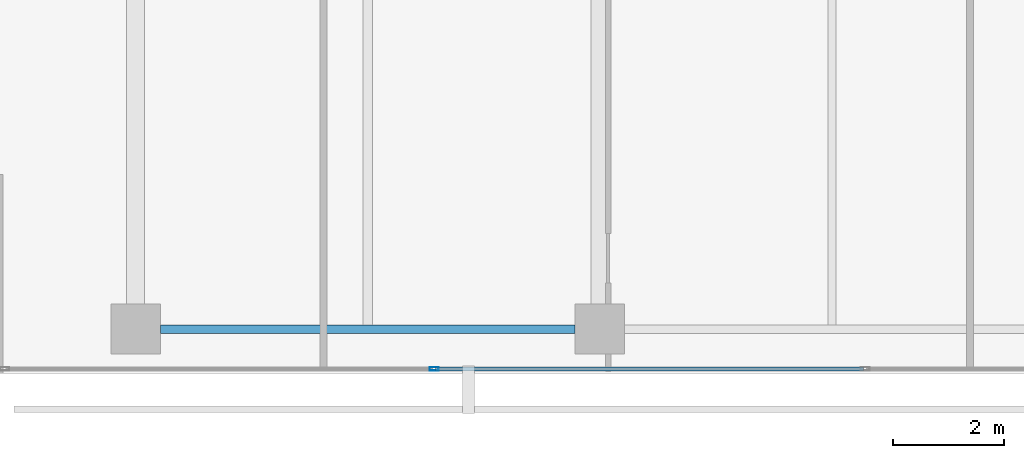
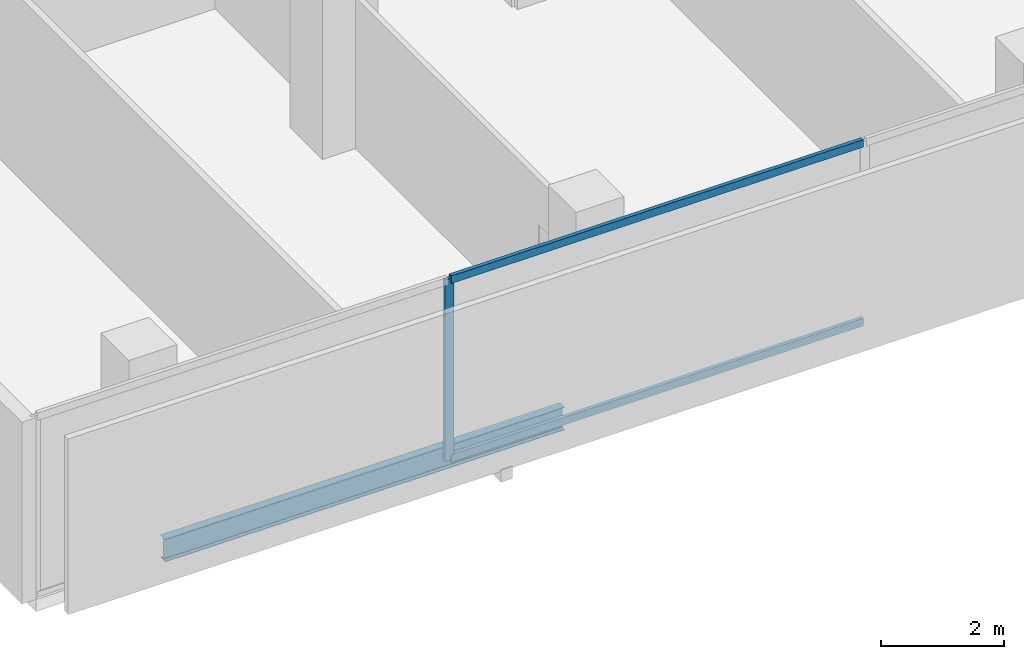
# One storey, part 3 of 40: 3 members, 1 beam, 1 element without a shape of its own.
"""IFC4 building model written with IfcOpenShell, lengths in metres."""

from ifc_helpers import new_model, si_unit, direction, frame, origin, origin_2d, place, context, subcontext, project, spatial, hollow_rectangle, i_section, extrude, material, layer, layer_set, material_profile, profile_set, type_object, element, aggregate, save


model = new_model("IFC4")

# Units and contexts
model_context = context("Model", 3, precision=1e-05, world=origin(), true_north=direction((0.0, 1.0)))
body_context = subcontext(model_context, "Body", "Model", "MODEL_VIEW")
ifc_project = project(units=[si_unit("LENGTHUNIT", "METRE"), si_unit("AREAUNIT", "SQUARE_METRE"), si_unit("VOLUMEUNIT", "CUBIC_METRE"), si_unit("PLANEANGLEUNIT", "RADIAN"), si_unit("MASSUNIT", "GRAM", prefix="KILO")], contexts=[model_context])

# Site, building, storey
site_placement = place(None, origin())
site = spatial("IfcSite", under=ifc_project, at=site_placement, CompositionType="ELEMENT")
building_placement = place(site_placement, origin())
building = spatial("IfcBuilding", under=site, at=building_placement, Name="Maruvema Waterfront Hotel and Observation Tower", CompositionType="ELEMENT")
storey_placement = place(building_placement, frame((0.0, 0.0, 73.14990234375)))
storey = spatial("IfcBuildingStorey", under=building, at=storey_placement, Name="L17", CompositionType="ELEMENT", Elevation=73.14990234375)

# Curtain wall, members
ifc_material_1 = material(Name="Anodised bronze aluminium and solar-control low-E IGU", Category="aluminium")
ifc_layer = layer(ifc_material_1, 0.159912109375, Name="Zone 1 Bronze Inner Thermal Curtain Wall System CW-02")
ifc_layer_set = layer_set([ifc_layer], Name="Anodised bronze aluminium and solar-control low-E IGU")
curtain_wall_type = type_object("IfcCurtainWallType", Name="Zone 1 Bronze Inner Thermal Curtain Wall System CW-02", PredefinedType="USERDEFINED", material=ifc_layer_set)
curtain_wall_placement = place(storey_placement, origin())
curtain_wall = element("IfcCurtainWall", 1, at=curtain_wall_placement, inside=storey, type_object=curtain_wall_type, Name="L17 Curtain Wall CW-L17-S", ObjectType="UNITISED CURTAIN WALL", PredefinedType="USERDEFINED")
ifc_material_2 = material(Name="Anodised architectural bronze aluminium", Category="aluminium")
ifc_material_profile_1 = material_profile(ifc_material_2, hollow_rectangle(XDim=0.070068359375, YDim=0.14990234375, WallThickness=0.00390625, at=origin_2d()), Name="ALU-T70x150")
ifc_profile_set_1 = profile_set([ifc_material_profile_1], Name="Anodised architectural bronze aluminium")
member_type_1 = type_object("IfcMemberType", Name="Curtain Wall Horizontal Transom ALU-T70x150", PredefinedType="USERDEFINED", material=ifc_profile_set_1)
member_1_placement = place(storey_placement, frame((22.22998046875, 0.080078125, 0.030029296875), z_axis=(1.0, 0.0, 0.0), x_axis=(0.0, 1.0, 0.0)))
member_1 = element("IfcMember", 2, at=member_1_placement, type_object=member_type_1, Name="CW-02 transom 2.1", ObjectType="TRANSOM", PredefinedType="USERDEFINED", context=body_context, shape_type="SweptSolid", body=[
    extrude(hollow_rectangle(XDim=0.070068359375, YDim=0.14990234375, WallThickness=0.00390625, at=origin_2d()), origin(), (0.0, 0.0, 1.0), 7.739990234375),
])
member_2_placement = place(storey_placement, frame((22.22998046875, 0.080078125, 3.580078125), z_axis=(1.0, 0.0, 0.0), x_axis=(0.0, 1.0, 0.0)))
member_2 = element("IfcMember", 3, at=member_2_placement, type_object=member_type_1, Name="CW-02 transom 2.2", ObjectType="TRANSOM", PredefinedType="USERDEFINED", context=body_context, shape_type="SweptSolid", body=[
    extrude(hollow_rectangle(XDim=0.070068359375, YDim=0.14990234375, WallThickness=0.00390625, at=origin_2d()), origin(), (0.0, 0.0, 1.0), 7.739990234375),
])
ifc_material_3 = material(Name="Anodised architectural bronze aluminium", Category="aluminium")
ifc_material_profile_2 = material_profile(ifc_material_3, hollow_rectangle(XDim=0.06494140625, YDim=0.1650390625, WallThickness=0.00390625, at=origin_2d()), Name="ALU-M65x165")
ifc_profile_set_2 = profile_set([ifc_material_profile_2], Name="Anodised architectural bronze aluminium")
member_type_2 = type_object("IfcMemberType", Name="Curtain Wall Primary Mullion ALU-M65x165", PredefinedType="MULLION", material=ifc_profile_set_2)
member_3_placement = place(storey_placement, frame((22.199951171875, 0.080078125, 0.0), z_axis=(0.0, 0.0, 1.0), x_axis=(0.0, 1.0, 0.0)))
member_3 = element("IfcMember", 4, at=member_3_placement, type_object=member_type_2, Name="CW-02 mullion 2", PredefinedType="MULLION", context=body_context, shape_type="SweptSolid", body=[
    extrude(hollow_rectangle(XDim=0.06494140625, YDim=0.1650390625, WallThickness=0.00390625, at=origin_2d()), origin(), (0.0, 0.0, 1.0), 3.610107421875),
])
aggregate(curtain_wall, [member_3, member_1, member_2])

# Beam
ifc_material_4 = material(Name="Steel ASTM A572 Grade 50", Category="steel")
ifc_material_profile_3 = material_profile(ifc_material_4, i_section(OverallWidth=0.153076171875, OverallDepth=0.455078125, WebThickness=0.008056640625, FlangeThickness=0.01318359375, FilletRadius=0.014892578125, at=origin_2d()), Name="W460x60.0")
ifc_profile_set_3 = profile_set([ifc_material_profile_3], Name="Steel ASTM A572 Grade 50")
beam_type = type_object("IfcBeamType", Name="Perimeter Spandrel Beam W460x60.0", PredefinedType="SPANDREL", material=ifc_profile_set_3)
beam_placement = place(storey_placement, frame((17.25, 0.800048828125, -0.46728515625), z_axis=(1.0, 0.0, 0.0), x_axis=(0.0, 1.0, 0.0)))
element("IfcBeam", 5, at=beam_placement, inside=storey, type_object=beam_type, Name="L17 Floor Girder EW-01", PredefinedType="SPANDREL", context=body_context, shape_type="SweptSolid", body=[
    extrude(i_section(OverallWidth=0.153076171875, OverallDepth=0.455078125, WebThickness=0.008056640625, FlangeThickness=0.01318359375, FilletRadius=0.014892578125, at=origin_2d()), origin(), (0.0, 0.0, 1.0), 7.5),
])

save(model, "model.ifc")
